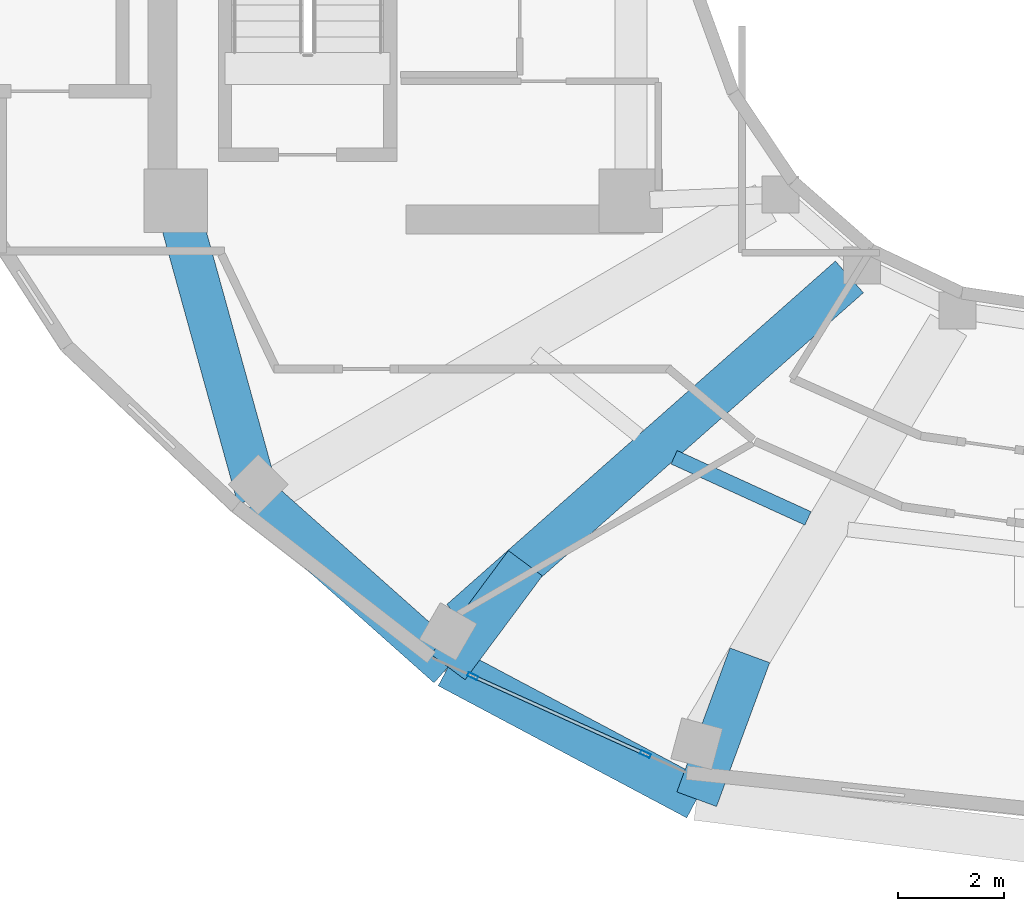
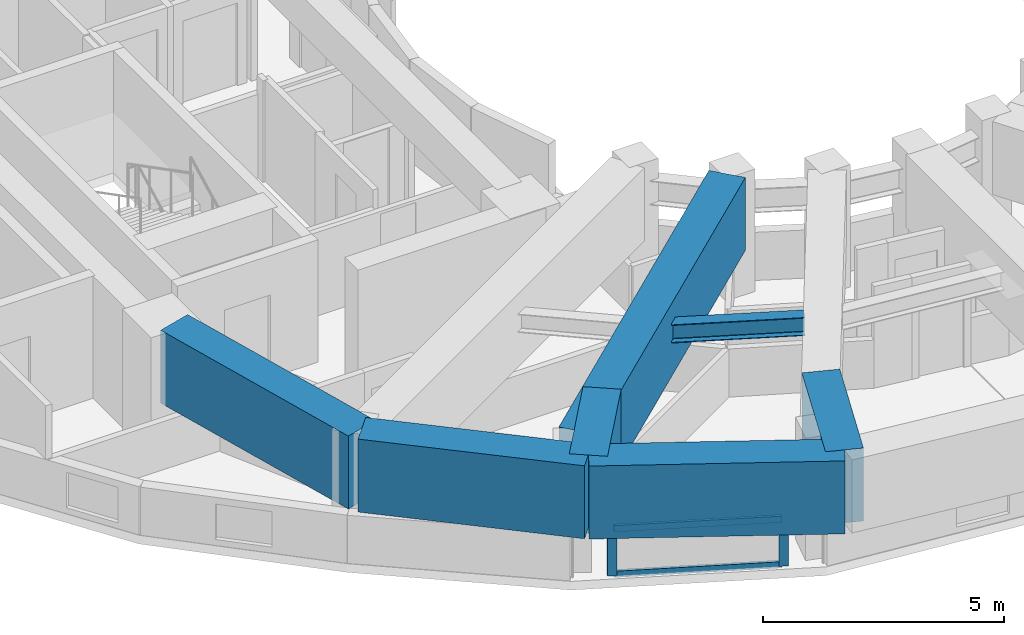
# One storey, part 2 of 20: 7 beams, 4 members, 1 element without a shape of its own.
"""IFC4 building model written with IfcOpenShell, lengths in metres."""

from ifc_helpers import new_model, si_unit, direction, frame, origin, origin_2d, place, context, subcontext, project, spatial, rectangle, hollow_rectangle, i_section, extrude, material, layer, layer_set, material_profile, profile_set, type_object, element, aggregate, save


model = new_model("IFC4")

# Units and contexts
model_context = context("Model", 3, precision=1e-05, world=origin(), true_north=direction((0.0, 1.0)))
body_context = subcontext(model_context, "Body", "Model", "MODEL_VIEW")
ifc_project = project(units=[si_unit("LENGTHUNIT", "METRE"), si_unit("AREAUNIT", "SQUARE_METRE"), si_unit("VOLUMEUNIT", "CUBIC_METRE"), si_unit("PLANEANGLEUNIT", "RADIAN"), si_unit("MASSUNIT", "GRAM", prefix="KILO")], contexts=[model_context])

# Site, building, storey
site_placement = place(None, origin())
site = spatial("IfcSite", under=ifc_project, at=site_placement, CompositionType="ELEMENT")
building_placement = place(site_placement, origin())
building = spatial("IfcBuilding", under=site, at=building_placement, Name="Solvane Sanctuary Tower", CompositionType="ELEMENT")
storey_placement = place(building_placement, frame((0.0, 0.0, 217.10009765625)))
storey = spatial("IfcBuildingStorey", under=building, at=storey_placement, Name="L66", CompositionType="ELEMENT", Elevation=217.10009765625)

# Beams
ifc_material_1 = material(Name="Steel ASTM A992 Grade 50", Category="steel")
ifc_material_profile_1 = material_profile(ifc_material_1, i_section(OverallWidth=0.280029296875, OverallDepth=0.462890625, WebThickness=0.0107421875, FlangeThickness=0.017333984375, FilletRadius=0.013916015625, at=origin_2d()), Name="W18X76")
ifc_profile_set_1 = profile_set([ifc_material_profile_1], Name="Steel ASTM A992 Grade 50")
beam_type_1 = type_object("IfcBeamType", Name="Beam B-SEC-JOIST W18X76", PredefinedType="JOIST", material=ifc_profile_set_1)
beam_1_placement = place(storey_placement, frame((24.716796875, 12.052001953125, 2.366455078125), z_axis=(0.909749265658, -0.415158130879, 0.0), x_axis=(0.415158130879, 0.909749265658, 0.0)))
element("IfcBeam", 1, at=beam_1_placement, inside=storey, type_object=beam_type_1, Name="L66 Secondary Circumferential Joist 09-10", PredefinedType="JOIST", context=body_context, shape_type="SweptSolid", body=[
    extrude(i_section(OverallWidth=0.280029296875, OverallDepth=0.462890625, WebThickness=0.0107421875, FlangeThickness=0.017333984375, FilletRadius=0.013916015625, at=origin_2d()), origin(), (0.0, 0.0, 1.0), 2.781494140625),
])
ifc_material_2 = material(Name="Concrete C70/85", Category="concrete")
ifc_material_profile_2 = material_profile(ifc_material_2, rectangle(XDim=0.800048828125, YDim=1.85009765625, at=origin_2d()), Name="RC800X1850")
ifc_profile_set_2 = profile_set([ifc_material_profile_2], Name="Concrete C70/85")
beam_type_2 = type_object("IfcBeamType", Name="Beam B-XFER-BLK RC800X1850", PredefinedType="BEAM", material=ifc_profile_set_2)
beam_2_placement = place(storey_placement, frame((28.0302734375, 15.46142578125, 2.1748046875), z_axis=(-0.749347766597, -0.662176656713, 0.0), x_axis=(0.662176656713, -0.749347766597, 0.0)))
element("IfcBeam", 2, at=beam_2_placement, inside=storey, type_object=beam_type_2, Name="L66 Block-Shift Radial Transfer Girder 09A", PredefinedType="BEAM", context=body_context, shape_type="SweptSolid", body=[
    extrude(rectangle(XDim=0.800048828125, YDim=1.85009765625, at=origin_2d()), origin(), (0.0, 0.0, 1.0), 9.802490234375),
])
beam_3_placement = place(storey_placement, frame((21.906005859375, 10.0498046875, 2.1748046875), z_axis=(-0.596979418158, -0.80225655142, 0.0), x_axis=(0.80225655142, -0.596979418158, 0.0)))
element("IfcBeam", 3, at=beam_3_placement, inside=storey, type_object=beam_type_2, Name="L66 Block-Shift Transfer Tie 09B", PredefinedType="BEAM", context=body_context, shape_type="SweptSolid", body=[
    extrude(rectangle(XDim=0.800048828125, YDim=1.85009765625, at=origin_2d()), origin(), (0.0, 0.0, 1.0), 2.447509765625),
])
beam_4_placement = place(storey_placement, frame((26.148681640625, 8.308837890625, 2.1748046875), z_axis=(-0.346524535931, -0.938040908489, 0.0), x_axis=(0.938040908489, -0.346524535931, 0.0)))
element("IfcBeam", 4, at=beam_4_placement, inside=storey, type_object=beam_type_2, Name="L66 Block-Shift Transfer Tie 10B", PredefinedType="BEAM", context=body_context, shape_type="SweptSolid", body=[
    extrude(rectangle(XDim=0.800048828125, YDim=1.85009765625, at=origin_2d()), origin(), (0.0, 0.0, 1.0), 2.89990234375),
])
beam_5_placement = place(storey_placement, frame((15.39599609375, 16.552978515625, 2.1748046875), z_axis=(0.266626617927, -0.963799899675, 0.0), x_axis=(0.963799899675, 0.266626617927, 0.0)))
element("IfcBeam", 5, at=beam_5_placement, inside=storey, type_object=beam_type_2, Name="L66 Perimeter Step Transfer Ring CW1-NTC08", PredefinedType="BEAM", context=body_context, shape_type="SweptSolid", body=[
    extrude(rectangle(XDim=0.800048828125, YDim=1.85009765625, at=origin_2d()), origin(), (0.0, 0.0, 1.0), 5.471923828125),
])
beam_6_placement = place(storey_placement, frame((16.85498046875, 11.279052734375, 2.1748046875), z_axis=(0.74721302735, -0.664584600904, 0.0), x_axis=(0.664584600904, 0.74721302735, 0.0)))
element("IfcBeam", 6, at=beam_6_placement, inside=storey, type_object=beam_type_2, Name="L66 Perimeter Step Transfer Ring NTC08-NTC09", PredefinedType="BEAM", context=body_context, shape_type="SweptSolid", body=[
    extrude(rectangle(XDim=0.800048828125, YDim=1.85009765625, at=origin_2d()), origin(), (0.0, 0.0, 1.0), 4.80419921875),
])
beam_7_placement = place(storey_placement, frame((20.44482421875, 8.086181640625, 2.1748046875), z_axis=(0.883020065947, -0.469335235343, 0.0), x_axis=(0.469335235343, 0.883020065947, 0.0)))
element("IfcBeam", 7, at=beam_7_placement, inside=storey, type_object=beam_type_2, Name="L66 Perimeter Step Transfer Ring NTC09-NTC10", PredefinedType="BEAM", context=body_context, shape_type="SweptSolid", body=[
    extrude(rectangle(XDim=0.800048828125, YDim=1.85009765625, at=origin_2d()), origin(), (0.0, 0.0, 1.0), 5.321533203125),
])

# Curtain wall, members
ifc_material_3 = material(Name="Anodised Aluminium 6063-T6", Category="aluminium")
ifc_layer = layer(ifc_material_3, 0.18994140625, Name="Anodised Aluminium 6063-T6")
ifc_layer_set = layer_set([ifc_layer], Name="Anodised Aluminium 6063-T6")
curtain_wall_type = type_object("IfcCurtainWallType", Name="Curtain Wall CW-OPER", PredefinedType="NOTDEFINED", material=ifc_layer_set)
curtain_wall_placement = place(storey_placement, origin())
curtain_wall = element("IfcCurtainWall", 8, at=curtain_wall_placement, inside=storey, type_object=curtain_wall_type, Name="L66 CW-OPER Facade Run 16", PredefinedType="NOTDEFINED")
ifc_material_profile_3 = material_profile(ifc_material_3, hollow_rectangle(XDim=0.074951171875, YDim=0.199951171875, WallThickness=0.00390625, at=origin_2d()), Name="ALU200X75X4")
ifc_profile_set_3 = profile_set([ifc_material_profile_3], Name="Anodised Aluminium 6063-T6")
member_type_1 = type_object("IfcMemberType", Name="Member M-CW-MUL-1 ALU200X75X4", PredefinedType="MULLION", material=ifc_profile_set_3)
member_1_placement = place(storey_placement, frame((20.911376953125, 7.91455078125, 0.0), z_axis=(0.0, 0.0, 1.0), x_axis=(0.411470931711, 0.911422883385, 0.0)))
member_1 = element("IfcMember", 9, at=member_1_placement, type_object=member_type_1, Name="CW-OPER mullion 1", PredefinedType="MULLION", context=body_context, shape_type="SweptSolid", body=[
    extrude(hollow_rectangle(XDim=0.074951171875, YDim=0.199951171875, WallThickness=0.00390625, at=origin_2d()), origin(), (0.0, 0.0, 1.0), 1.219970703125),
])
member_2_placement = place(storey_placement, frame((24.175537109375, 6.44091796875, 0.0), z_axis=(0.0, 0.0, 1.0), x_axis=(0.411470931711, 0.911422883385, 0.0)))
member_2 = element("IfcMember", 10, at=member_2_placement, type_object=member_type_1, Name="CW-OPER mullion 2", PredefinedType="MULLION", context=body_context, shape_type="SweptSolid", body=[
    extrude(hollow_rectangle(XDim=0.074951171875, YDim=0.199951171875, WallThickness=0.00390625, at=origin_2d()), origin(), (0.0, 0.0, 1.0), 1.219970703125),
])
ifc_material_profile_4 = material_profile(ifc_material_3, hollow_rectangle(XDim=0.06494140625, YDim=0.159912109375, WallThickness=0.00341796875, at=origin_2d()), Name="ALU160X65X3.5")
ifc_profile_set_4 = profile_set([ifc_material_profile_4], Name="Anodised Aluminium 6063-T6")
member_type_2 = type_object("IfcMemberType", Name="Member M-CW-TRN-1 ALU160X65X3.5", PredefinedType="USERDEFINED", material=ifc_profile_set_4)
member_3_placement = place(storey_placement, frame((20.945556640625, 7.899169921875, 0.032470703125), z_axis=(0.911438831618, -0.411435603975, 0.0), x_axis=(0.411435603975, 0.911438831618, 0.0)))
member_3 = element("IfcMember", 11, at=member_3_placement, type_object=member_type_2, Name="CW-OPER transom 1.1", ObjectType="TRANSOM", PredefinedType="USERDEFINED", context=body_context, shape_type="SweptSolid", body=[
    extrude(hollow_rectangle(XDim=0.06494140625, YDim=0.159912109375, WallThickness=0.00341796875, at=origin_2d()), origin(), (0.0, 0.0, 1.0), 3.50634765625),
])
member_4_placement = place(storey_placement, frame((20.945556640625, 7.899169921875, 1.1875), z_axis=(0.911438831618, -0.411435603975, 0.0), x_axis=(0.411435603975, 0.911438831618, 0.0)))
member_4 = element("IfcMember", 12, at=member_4_placement, type_object=member_type_2, Name="CW-OPER transom 1.2", ObjectType="TRANSOM", PredefinedType="USERDEFINED", context=body_context, shape_type="SweptSolid", body=[
    extrude(hollow_rectangle(XDim=0.06494140625, YDim=0.159912109375, WallThickness=0.00341796875, at=origin_2d()), origin(), (0.0, 0.0, 1.0), 3.50634765625),
])
aggregate(curtain_wall, [member_1, member_2, member_3, member_4])

save(model, "model.ifc")
